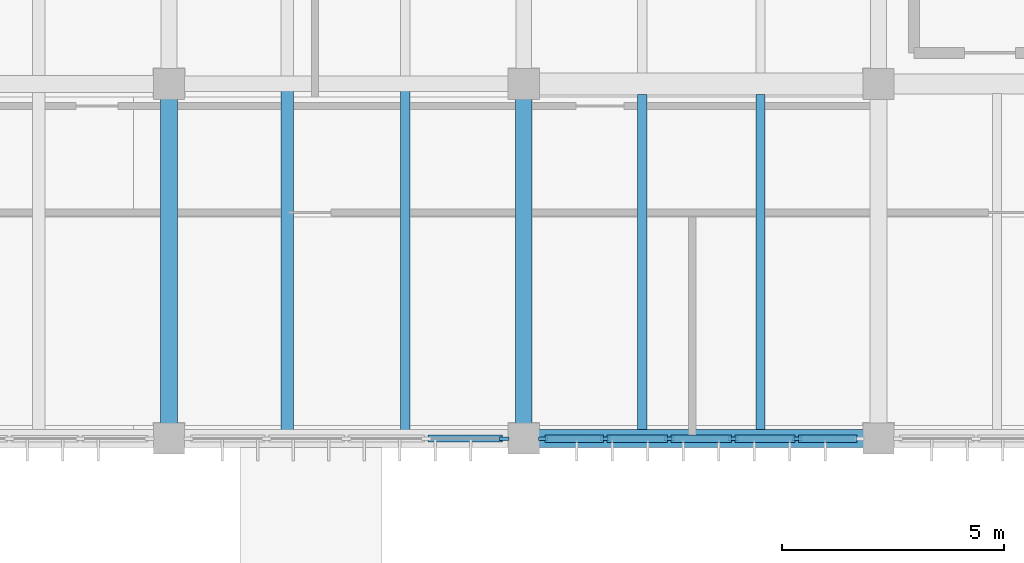
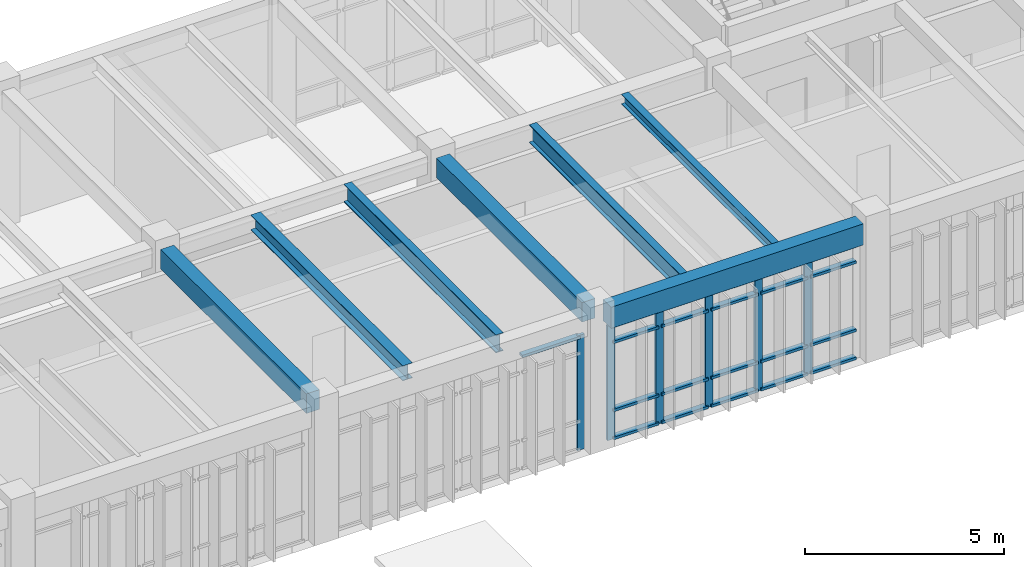
# One storey, part 10 of 72: 27 members, 7 beams, 2 elements without a shape of their own.
"""IFC4 building model written with IfcOpenShell, lengths in metres."""

from ifc_helpers import new_model, si_unit, direction, frame, origin, origin_2d, place, context, subcontext, project, spatial, rectangle, i_section, extrude, material, material_profile, profile_set, type_object, element, aggregate, save


model = new_model("IFC4")

# Units and contexts
model_context = context("Model", 3, precision=1e-05, world=origin(), true_north=direction((0.0, 1.0)))
body_context = subcontext(model_context, "Body", "Model", "MODEL_VIEW")
ifc_project = project(units=[si_unit("LENGTHUNIT", "METRE"), si_unit("AREAUNIT", "SQUARE_METRE"), si_unit("VOLUMEUNIT", "CUBIC_METRE"), si_unit("PLANEANGLEUNIT", "RADIAN"), si_unit("MASSUNIT", "GRAM", prefix="KILO")], contexts=[model_context])

# Site, building, storey
site_placement = place(None, origin())
site = spatial("IfcSite", under=ifc_project, at=site_placement, CompositionType="ELEMENT")
building_placement = place(site_placement, origin())
building = spatial("IfcBuilding", under=site, at=building_placement, Name="Tlaxcora Railside Police Headquarters", CompositionType="ELEMENT")
storey_placement = place(building_placement, frame((0.0, 0.0, 13.5)))
storey = spatial("IfcBuildingStorey", under=building, at=storey_placement, Name="L03", CompositionType="ELEMENT", Elevation=13.5)

# Curtain wall, members
ifc_material_1 = material(Name="Thermally broken low-E insulated glazing", Category="glass")
curtain_wall_type_1 = type_object("IfcCurtainWallType", Name="Unitised Curtain Wall Assembly CW-23", PredefinedType="NOTDEFINED", material=ifc_material_1)
curtain_wall_1_placement = place(storey_placement, origin())
curtain_wall_1 = element("IfcCurtainWall", 1, at=curtain_wall_1_placement, inside=storey, type_object=curtain_wall_type_1, Name="V5 L03 curtain wall 76", PredefinedType="NOTDEFINED")
ifc_material_2 = material(Name="Anodised aluminium framing", Category="aluminium")
ifc_material_profile_1 = material_profile(ifc_material_2, rectangle(XDim=0.080078125, YDim=0.219970703125, at=origin_2d()), Name="AL80X220")
ifc_profile_set_1 = profile_set([ifc_material_profile_1], Name="Anodised aluminium framing")
member_type_1 = type_object("IfcMemberType", Name="Curtain Wall Mullion CW-31", PredefinedType="MULLION", material=ifc_profile_set_1)
member_1_placement = place(storey_placement, frame((62.43994140625, 76.800048828125, 0.0), z_axis=(0.0, 0.0, 1.0), x_axis=(0.0, 1.0, 0.0)))
member_1 = element("IfcMember", 2, at=member_1_placement, type_object=member_type_1, Name="CW mullion 1", PredefinedType="MULLION", context=body_context, shape_type="SweptSolid", body=[
    extrude(rectangle(XDim=0.080078125, YDim=0.219970703125, at=origin_2d()), origin(), (0.0, 0.0, 1.0), 3.52001953125),
])
member_2_placement = place(storey_placement, frame((63.840087890625, 76.800048828125, 0.0), z_axis=(0.0, 0.0, 1.0), x_axis=(0.0, 1.0, 0.0)))
member_2 = element("IfcMember", 3, at=member_2_placement, type_object=member_type_1, Name="CW mullion 2", PredefinedType="MULLION", context=body_context, shape_type="SweptSolid", body=[
    extrude(rectangle(XDim=0.080078125, YDim=0.219970703125, at=origin_2d()), origin(), (0.0, 0.0, 1.0), 3.52001953125),
])
member_3_placement = place(storey_placement, frame((65.280029296875, 76.800048828125, 0.0), z_axis=(0.0, 0.0, 1.0), x_axis=(0.0, 1.0, 0.0)))
member_3 = element("IfcMember", 4, at=member_3_placement, type_object=member_type_1, Name="CW mullion 3", PredefinedType="MULLION", context=body_context, shape_type="SweptSolid", body=[
    extrude(rectangle(XDim=0.080078125, YDim=0.219970703125, at=origin_2d()), origin(), (0.0, 0.0, 1.0), 3.52001953125),
])
member_4_placement = place(storey_placement, frame((66.719970703125, 76.800048828125, 0.0), z_axis=(0.0, 0.0, 1.0), x_axis=(0.0, 1.0, 0.0)))
member_4 = element("IfcMember", 5, at=member_4_placement, type_object=member_type_1, Name="CW mullion 4", PredefinedType="MULLION", context=body_context, shape_type="SweptSolid", body=[
    extrude(rectangle(XDim=0.080078125, YDim=0.219970703125, at=origin_2d()), origin(), (0.0, 0.0, 1.0), 3.52001953125),
])
member_5_placement = place(storey_placement, frame((68.159912109375, 76.800048828125, 0.0), z_axis=(0.0, 0.0, 1.0), x_axis=(0.0, 1.0, 0.0)))
member_5 = element("IfcMember", 6, at=member_5_placement, type_object=member_type_1, Name="CW mullion 5", PredefinedType="MULLION", context=body_context, shape_type="SweptSolid", body=[
    extrude(rectangle(XDim=0.080078125, YDim=0.219970703125, at=origin_2d()), origin(), (0.0, 0.0, 1.0), 3.52001953125),
])

# Curtain wall, member
curtain_wall_type_2 = type_object("IfcCurtainWallType", Name="Unitised Curtain Wall Assembly CW-83", PredefinedType="NOTDEFINED", material=ifc_material_1)
curtain_wall_2_placement = place(storey_placement, origin())
curtain_wall_2 = element("IfcCurtainWall", 7, at=curtain_wall_2_placement, inside=storey, type_object=curtain_wall_type_2, Name="V5 L03 curtain wall 75", PredefinedType="NOTDEFINED")
ifc_material_profile_2 = material_profile(ifc_material_2, rectangle(XDim=0.080078125, YDim=0.2099609375, at=origin_2d()), Name="AL80X210")
ifc_profile_set_2 = profile_set([ifc_material_profile_2], Name="Anodised aluminium framing")
member_type_2 = type_object("IfcMemberType", Name="Curtain Wall Mullion CW-76", PredefinedType="MULLION", material=ifc_profile_set_2)
member_6_placement = place(storey_placement, frame((61.56005859375, 76.800048828125, 0.0), z_axis=(0.0, 0.0, 1.0), x_axis=(0.0, 1.0, 0.0)))
member_6 = element("IfcMember", 8, at=member_6_placement, type_object=member_type_2, Name="CW mullion 5", PredefinedType="MULLION", context=body_context, shape_type="SweptSolid", body=[
    extrude(rectangle(XDim=0.080078125, YDim=0.2099609375, at=origin_2d()), origin(), (0.0, 0.0, 1.0), 3.52001953125),
])

# Member
ifc_material_profile_3 = material_profile(ifc_material_2, rectangle(XDim=0.1650390625, YDim=0.080078125, at=origin_2d()), Name="AL80X165")
ifc_profile_set_3 = profile_set([ifc_material_profile_3], Name="Anodised aluminium framing")
member_type_3 = type_object("IfcMemberType", Name="Curtain Wall Transom CW-62", PredefinedType="USERDEFINED", material=ifc_profile_set_3)
member_7_placement = place(storey_placement, frame((62.47998046875, 76.800048828125, 0.0400390625), z_axis=(1.0, 0.0, 0.0), x_axis=(0.0, 1.0, 0.0)))
member_7 = element("IfcMember", 9, at=member_7_placement, type_object=member_type_3, Name="CW transom 1.1", ObjectType="TRANSOM", PredefinedType="USERDEFINED", context=body_context, shape_type="SweptSolid", body=[
    extrude(rectangle(XDim=0.1650390625, YDim=0.080078125, at=origin_2d()), origin(), (0.0, 0.0, 1.0), 1.320068359375),
])

member_8_placement = place(storey_placement, frame((62.47998046875, 76.800048828125, 0.89990234375), z_axis=(1.0, 0.0, 0.0), x_axis=(0.0, 1.0, 0.0)))
member_8 = element("IfcMember", 10, at=member_8_placement, type_object=member_type_3, Name="CW transom 1.2", ObjectType="TRANSOM", PredefinedType="USERDEFINED", context=body_context, shape_type="SweptSolid", body=[
    extrude(rectangle(XDim=0.1650390625, YDim=0.080078125, at=origin_2d()), origin(), (0.0, 0.0, 1.0), 1.320068359375),
])

member_9_placement = place(storey_placement, frame((62.47998046875, 76.800048828125, 2.989990234375), z_axis=(1.0, 0.0, 0.0), x_axis=(0.0, 1.0, 0.0)))
member_9 = element("IfcMember", 11, at=member_9_placement, type_object=member_type_3, Name="CW transom 1.3", ObjectType="TRANSOM", PredefinedType="USERDEFINED", context=body_context, shape_type="SweptSolid", body=[
    extrude(rectangle(XDim=0.1650390625, YDim=0.080078125, at=origin_2d()), origin(), (0.0, 0.0, 1.0), 1.320068359375),
])

member_10_placement = place(storey_placement, frame((62.47998046875, 76.800048828125, 3.47998046875), z_axis=(1.0, 0.0, 0.0), x_axis=(0.0, 1.0, 0.0)))
member_10 = element("IfcMember", 12, at=member_10_placement, type_object=member_type_3, Name="CW transom 1.4", ObjectType="TRANSOM", PredefinedType="USERDEFINED", context=body_context, shape_type="SweptSolid", body=[
    extrude(rectangle(XDim=0.1650390625, YDim=0.080078125, at=origin_2d()), origin(), (0.0, 0.0, 1.0), 1.320068359375),
])

member_11_placement = place(storey_placement, frame((63.8798828125, 76.800048828125, 0.0400390625), z_axis=(1.0, 0.0, 0.0), x_axis=(0.0, 1.0, 0.0)))
member_11 = element("IfcMember", 13, at=member_11_placement, type_object=member_type_3, Name="CW transom 2.1", ObjectType="TRANSOM", PredefinedType="USERDEFINED", context=body_context, shape_type="SweptSolid", body=[
    extrude(rectangle(XDim=0.1650390625, YDim=0.080078125, at=origin_2d()), origin(), (0.0, 0.0, 1.0), 1.360107421875),
])

member_12_placement = place(storey_placement, frame((63.8798828125, 76.800048828125, 0.89990234375), z_axis=(1.0, 0.0, 0.0), x_axis=(0.0, 1.0, 0.0)))
member_12 = element("IfcMember", 14, at=member_12_placement, type_object=member_type_3, Name="CW transom 2.2", ObjectType="TRANSOM", PredefinedType="USERDEFINED", context=body_context, shape_type="SweptSolid", body=[
    extrude(rectangle(XDim=0.1650390625, YDim=0.080078125, at=origin_2d()), origin(), (0.0, 0.0, 1.0), 1.360107421875),
])

member_13_placement = place(storey_placement, frame((63.8798828125, 76.800048828125, 2.989990234375), z_axis=(1.0, 0.0, 0.0), x_axis=(0.0, 1.0, 0.0)))
member_13 = element("IfcMember", 15, at=member_13_placement, type_object=member_type_3, Name="CW transom 2.3", ObjectType="TRANSOM", PredefinedType="USERDEFINED", context=body_context, shape_type="SweptSolid", body=[
    extrude(rectangle(XDim=0.1650390625, YDim=0.080078125, at=origin_2d()), origin(), (0.0, 0.0, 1.0), 1.360107421875),
])

member_14_placement = place(storey_placement, frame((63.8798828125, 76.800048828125, 3.47998046875), z_axis=(1.0, 0.0, 0.0), x_axis=(0.0, 1.0, 0.0)))
member_14 = element("IfcMember", 16, at=member_14_placement, type_object=member_type_3, Name="CW transom 2.4", ObjectType="TRANSOM", PredefinedType="USERDEFINED", context=body_context, shape_type="SweptSolid", body=[
    extrude(rectangle(XDim=0.1650390625, YDim=0.080078125, at=origin_2d()), origin(), (0.0, 0.0, 1.0), 1.360107421875),
])

member_15_placement = place(storey_placement, frame((65.320068359375, 76.800048828125, 0.0400390625), z_axis=(1.0, 0.0, 0.0), x_axis=(0.0, 1.0, 0.0)))
member_15 = element("IfcMember", 17, at=member_15_placement, type_object=member_type_3, Name="CW transom 3.1", ObjectType="TRANSOM", PredefinedType="USERDEFINED", context=body_context, shape_type="SweptSolid", body=[
    extrude(rectangle(XDim=0.1650390625, YDim=0.080078125, at=origin_2d()), origin(), (0.0, 0.0, 1.0), 1.35986328125),
])

member_16_placement = place(storey_placement, frame((65.320068359375, 76.800048828125, 0.89990234375), z_axis=(1.0, 0.0, 0.0), x_axis=(0.0, 1.0, 0.0)))
member_16 = element("IfcMember", 18, at=member_16_placement, type_object=member_type_3, Name="CW transom 3.2", ObjectType="TRANSOM", PredefinedType="USERDEFINED", context=body_context, shape_type="SweptSolid", body=[
    extrude(rectangle(XDim=0.1650390625, YDim=0.080078125, at=origin_2d()), origin(), (0.0, 0.0, 1.0), 1.35986328125),
])

member_17_placement = place(storey_placement, frame((65.320068359375, 76.800048828125, 2.989990234375), z_axis=(1.0, 0.0, 0.0), x_axis=(0.0, 1.0, 0.0)))
member_17 = element("IfcMember", 19, at=member_17_placement, type_object=member_type_3, Name="CW transom 3.3", ObjectType="TRANSOM", PredefinedType="USERDEFINED", context=body_context, shape_type="SweptSolid", body=[
    extrude(rectangle(XDim=0.1650390625, YDim=0.080078125, at=origin_2d()), origin(), (0.0, 0.0, 1.0), 1.35986328125),
])

member_18_placement = place(storey_placement, frame((65.320068359375, 76.800048828125, 3.47998046875), z_axis=(1.0, 0.0, 0.0), x_axis=(0.0, 1.0, 0.0)))
member_18 = element("IfcMember", 20, at=member_18_placement, type_object=member_type_3, Name="CW transom 3.4", ObjectType="TRANSOM", PredefinedType="USERDEFINED", context=body_context, shape_type="SweptSolid", body=[
    extrude(rectangle(XDim=0.1650390625, YDim=0.080078125, at=origin_2d()), origin(), (0.0, 0.0, 1.0), 1.35986328125),
])

member_19_placement = place(storey_placement, frame((66.760009765625, 76.800048828125, 0.0400390625), z_axis=(1.0, 0.0, 0.0), x_axis=(0.0, 1.0, 0.0)))
member_19 = element("IfcMember", 21, at=member_19_placement, type_object=member_type_3, Name="CW transom 4.1", ObjectType="TRANSOM", PredefinedType="USERDEFINED", context=body_context, shape_type="SweptSolid", body=[
    extrude(rectangle(XDim=0.1650390625, YDim=0.080078125, at=origin_2d()), origin(), (0.0, 0.0, 1.0), 1.360107421875),
])

member_20_placement = place(storey_placement, frame((66.760009765625, 76.800048828125, 0.89990234375), z_axis=(1.0, 0.0, 0.0), x_axis=(0.0, 1.0, 0.0)))
member_20 = element("IfcMember", 22, at=member_20_placement, type_object=member_type_3, Name="CW transom 4.2", ObjectType="TRANSOM", PredefinedType="USERDEFINED", context=body_context, shape_type="SweptSolid", body=[
    extrude(rectangle(XDim=0.1650390625, YDim=0.080078125, at=origin_2d()), origin(), (0.0, 0.0, 1.0), 1.360107421875),
])

member_21_placement = place(storey_placement, frame((66.760009765625, 76.800048828125, 2.989990234375), z_axis=(1.0, 0.0, 0.0), x_axis=(0.0, 1.0, 0.0)))
member_21 = element("IfcMember", 23, at=member_21_placement, type_object=member_type_3, Name="CW transom 4.3", ObjectType="TRANSOM", PredefinedType="USERDEFINED", context=body_context, shape_type="SweptSolid", body=[
    extrude(rectangle(XDim=0.1650390625, YDim=0.080078125, at=origin_2d()), origin(), (0.0, 0.0, 1.0), 1.360107421875),
])

member_22_placement = place(storey_placement, frame((66.760009765625, 76.800048828125, 3.47998046875), z_axis=(1.0, 0.0, 0.0), x_axis=(0.0, 1.0, 0.0)))
member_22 = element("IfcMember", 24, at=member_22_placement, type_object=member_type_3, Name="CW transom 4.4", ObjectType="TRANSOM", PredefinedType="USERDEFINED", context=body_context, shape_type="SweptSolid", body=[
    extrude(rectangle(XDim=0.1650390625, YDim=0.080078125, at=origin_2d()), origin(), (0.0, 0.0, 1.0), 1.360107421875),
])

member_23_placement = place(storey_placement, frame((68.199951171875, 76.800048828125, 0.0400390625), z_axis=(1.0, 0.0, 0.0), x_axis=(0.0, 1.0, 0.0)))
member_23 = element("IfcMember", 25, at=member_23_placement, type_object=member_type_3, Name="CW transom 5.1", ObjectType="TRANSOM", PredefinedType="USERDEFINED", context=body_context, shape_type="SweptSolid", body=[
    extrude(rectangle(XDim=0.1650390625, YDim=0.080078125, at=origin_2d()), origin(), (0.0, 0.0, 1.0), 1.320068359375),
])

member_24_placement = place(storey_placement, frame((68.199951171875, 76.800048828125, 0.89990234375), z_axis=(1.0, 0.0, 0.0), x_axis=(0.0, 1.0, 0.0)))
member_24 = element("IfcMember", 26, at=member_24_placement, type_object=member_type_3, Name="CW transom 5.2", ObjectType="TRANSOM", PredefinedType="USERDEFINED", context=body_context, shape_type="SweptSolid", body=[
    extrude(rectangle(XDim=0.1650390625, YDim=0.080078125, at=origin_2d()), origin(), (0.0, 0.0, 1.0), 1.320068359375),
])

member_25_placement = place(storey_placement, frame((68.199951171875, 76.800048828125, 2.989990234375), z_axis=(1.0, 0.0, 0.0), x_axis=(0.0, 1.0, 0.0)))
member_25 = element("IfcMember", 27, at=member_25_placement, type_object=member_type_3, Name="CW transom 5.3", ObjectType="TRANSOM", PredefinedType="USERDEFINED", context=body_context, shape_type="SweptSolid", body=[
    extrude(rectangle(XDim=0.1650390625, YDim=0.080078125, at=origin_2d()), origin(), (0.0, 0.0, 1.0), 1.320068359375),
])

member_26_placement = place(storey_placement, frame((68.199951171875, 76.800048828125, 3.47998046875), z_axis=(1.0, 0.0, 0.0), x_axis=(0.0, 1.0, 0.0)))
member_26 = element("IfcMember", 28, at=member_26_placement, type_object=member_type_3, Name="CW transom 5.4", ObjectType="TRANSOM", PredefinedType="USERDEFINED", context=body_context, shape_type="SweptSolid", body=[
    extrude(rectangle(XDim=0.1650390625, YDim=0.080078125, at=origin_2d()), origin(), (0.0, 0.0, 1.0), 1.320068359375),
])

aggregate(curtain_wall_1, [member_1, member_2, member_3, member_4, member_5, member_7, member_8, member_9, member_10, member_11, member_12, member_13, member_14, member_15, member_16, member_17, member_18, member_19, member_20, member_21, member_22, member_23, member_24, member_25, member_26])

ifc_material_profile_4 = material_profile(ifc_material_2, rectangle(XDim=0.159912109375, YDim=0.080078125, at=origin_2d()), Name="AL80X160")
ifc_profile_set_4 = profile_set([ifc_material_profile_4], Name="Anodised aluminium framing")
member_type_4 = type_object("IfcMemberType", Name="Curtain Wall Transom CW-82", PredefinedType="USERDEFINED", material=ifc_profile_set_4)
member_27_placement = place(storey_placement, frame((59.840087890625, 76.800048828125, 3.47998046875), z_axis=(1.0, 0.0, 0.0), x_axis=(0.0, 1.0, 0.0)))
member_27 = element("IfcMember", 29, at=member_27_placement, type_object=member_type_4, Name="CW transom 4.4", ObjectType="TRANSOM", PredefinedType="USERDEFINED", context=body_context, shape_type="SweptSolid", body=[
    extrude(rectangle(XDim=0.159912109375, YDim=0.080078125, at=origin_2d()), origin(), (0.0, 0.0, 1.0), 1.679931640625),
])

aggregate(curtain_wall_2, [member_6, member_27])

# Beams
ifc_material_3 = material(Name="Concrete C40/50", Category="concrete")
ifc_material_profile_5 = material_profile(ifc_material_3, rectangle(XDim=0.39990234375, YDim=0.64990234375, at=origin_2d()), Name="RC400X650")
ifc_profile_set_5 = profile_set([ifc_material_profile_5], Name="Concrete C40/50")
beam_type_1 = type_object("IfcBeamType", Name="Perimeter Spandrel Beam BM-46", PredefinedType="SPANDREL", material=ifc_profile_set_5)
beam_1_placement = place(storey_placement, frame((62.340087890625, 76.800048828125, 3.864990234375), z_axis=(1.0, 0.0, 0.0), x_axis=(0.0, 1.0, 0.0)))
element("IfcBeam", 30, at=beam_1_placement, inside=storey, type_object=beam_type_1, Name="V5 L03 X-girder Y=76.8", PredefinedType="SPANDREL", context=body_context, shape_type="SweptSolid", body=[
    extrude(rectangle(XDim=0.39990234375, YDim=0.64990234375, at=origin_2d()), origin(), (0.0, 0.0, 1.0), 7.31982421875),
])
ifc_material_profile_6 = material_profile(ifc_material_3, rectangle(XDim=0.3798828125, YDim=0.60009765625, at=origin_2d()), Name="RC380X600")
ifc_profile_set_6 = profile_set([ifc_material_profile_6], Name="Concrete C40/50")
beam_type_2 = type_object("IfcBeamType", Name="Primary Frame Girder BM-22", PredefinedType="BEAM", material=ifc_profile_set_6)
for number, where, z_axis, x_axis, name in (
    (31, (54.0, 77.139892578125, 3.889892578125), (0.0, 1.0, 0.0), (-1.0, 0.0, 0.0), "V5 L03 Y-girder X=54.0"),
    (32, (62.0, 77.139892578125, 3.889892578125), (0.0, 1.0, 0.0), (-1.0, 0.0, 0.0), "V5 L03 Y-girder X=62.0"),
):
    element("IfcBeam", number, at=place(storey_placement, frame(where, z_axis=z_axis, x_axis=x_axis)), inside=storey, type_object=beam_type_2, Name=name, PredefinedType="BEAM", context=body_context, shape_type="SweptSolid", body=[
        extrude(rectangle(XDim=0.3798828125, YDim=0.60009765625, at=origin_2d()), origin(), (0.0, 0.0, 1.0), 7.320068359375),
    ])
ifc_material_4 = material(Name="Steel ASTM A992 Grade 50", Category="steel")
ifc_material_profile_7 = material_profile(ifc_material_4, i_section(OverallWidth=0.280029296875, OverallDepth=0.4619140625, WebThickness=0.0107421875, FlangeThickness=0.017333984375, at=origin_2d()), Name="W18X76")
ifc_profile_set_7 = profile_set([ifc_material_profile_7], Name="Steel ASTM A992 Grade 50")
beam_type_3 = type_object("IfcBeamType", Name="Secondary Floor Joist BM-44", PredefinedType="JOIST", material=ifc_profile_set_7)
beam_2_placement = place(storey_placement, frame((56.666748046875, 76.991943359375, 3.958984375), z_axis=(0.0, 1.0, 0.0), x_axis=(-1.0, 0.0, 0.0)))
element("IfcBeam", 33, at=beam_2_placement, inside=storey, type_object=beam_type_3, Name="V5 L03 floor joist X=56.67", PredefinedType="JOIST", context=body_context, shape_type="SweptSolid", body=[
    extrude(i_section(OverallWidth=0.280029296875, OverallDepth=0.4619140625, WebThickness=0.0107421875, FlangeThickness=0.017333984375, at=origin_2d()), origin(), (0.0, 0.0, 1.0), 7.64111328125),
])
ifc_material_profile_8 = material_profile(ifc_material_4, i_section(OverallWidth=0.202880859375, OverallDepth=0.302978515625, WebThickness=0.007568359375, FlangeThickness=0.01318359375, at=origin_2d()), Name="W12X40")
ifc_profile_set_8 = profile_set([ifc_material_profile_8], Name="Steel ASTM A992 Grade 50")
beam_type_4 = type_object("IfcBeamType", Name="Secondary Floor Joist BM-96", PredefinedType="JOIST", material=ifc_profile_set_8)
beam_3_placement = place(storey_placement, frame((67.333251953125, 76.991943359375, 4.03857421875), z_axis=(0.0, 1.0, 0.0), x_axis=(-1.0, 0.0, 0.0)))
element("IfcBeam", 34, at=beam_3_placement, inside=storey, type_object=beam_type_4, Name="V5 L03 floor joist X=67.33", PredefinedType="JOIST", context=body_context, shape_type="SweptSolid", body=[
    extrude(i_section(OverallWidth=0.202880859375, OverallDepth=0.302978515625, WebThickness=0.007568359375, FlangeThickness=0.01318359375, at=origin_2d()), origin(), (0.0, 0.0, 1.0), 7.566162109375),
])
ifc_material_profile_9 = material_profile(ifc_material_4, i_section(OverallWidth=0.214111328125, OverallDepth=0.549072265625, WebThickness=0.0146484375, FlangeThickness=0.023681640625, at=origin_2d()), Name="W21X93")
ifc_profile_set_9 = profile_set([ifc_material_profile_9], Name="Steel ASTM A992 Grade 50")
beam_type_5 = type_object("IfcBeamType", Name="Secondary Floor Joist BM-97", PredefinedType="JOIST", material=ifc_profile_set_9)
beam_4_placement = place(storey_placement, frame((59.333251953125, 76.991943359375, 3.91552734375), z_axis=(0.0, 1.0, 0.0), x_axis=(-1.0, 0.0, 0.0)))
element("IfcBeam", 35, at=beam_4_placement, inside=storey, type_object=beam_type_5, Name="V5 L03 floor joist X=59.33", PredefinedType="JOIST", context=body_context, shape_type="SweptSolid", body=[
    extrude(i_section(OverallWidth=0.214111328125, OverallDepth=0.549072265625, WebThickness=0.0146484375, FlangeThickness=0.023681640625, at=origin_2d()), origin(), (0.0, 0.0, 1.0), 7.64111328125),
])
beam_5_placement = place(storey_placement, frame((64.666748046875, 76.991943359375, 3.91552734375), z_axis=(0.0, 1.0, 0.0), x_axis=(-1.0, 0.0, 0.0)))
element("IfcBeam", 36, at=beam_5_placement, inside=storey, type_object=beam_type_5, Name="V5 L03 floor joist X=64.67", PredefinedType="JOIST", context=body_context, shape_type="SweptSolid", body=[
    extrude(i_section(OverallWidth=0.214111328125, OverallDepth=0.549072265625, WebThickness=0.0146484375, FlangeThickness=0.023681640625, at=origin_2d()), origin(), (0.0, 0.0, 1.0), 7.566162109375),
])

save(model, "model.ifc")
